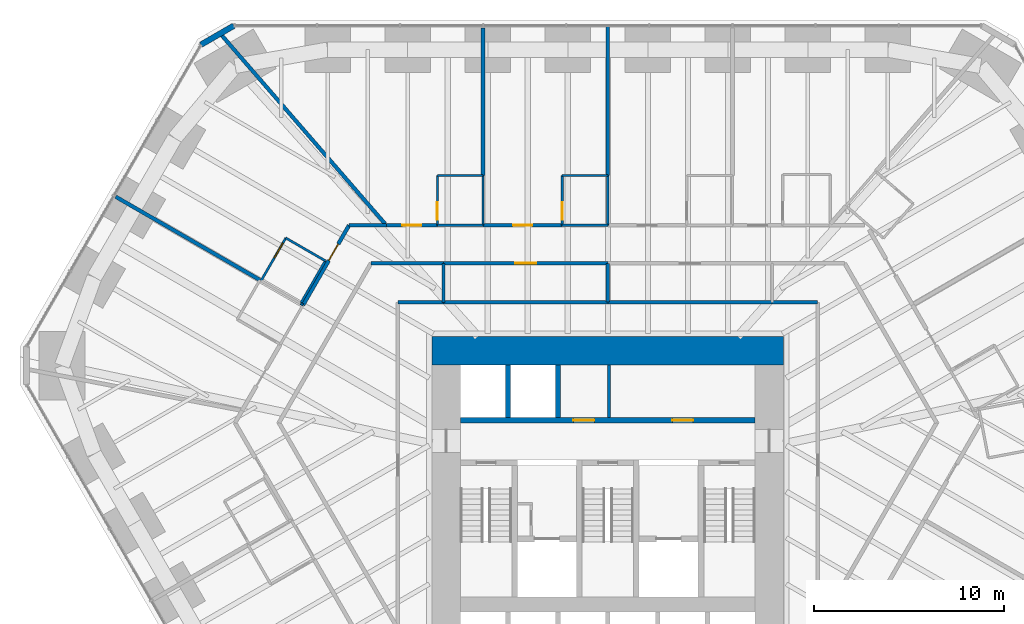
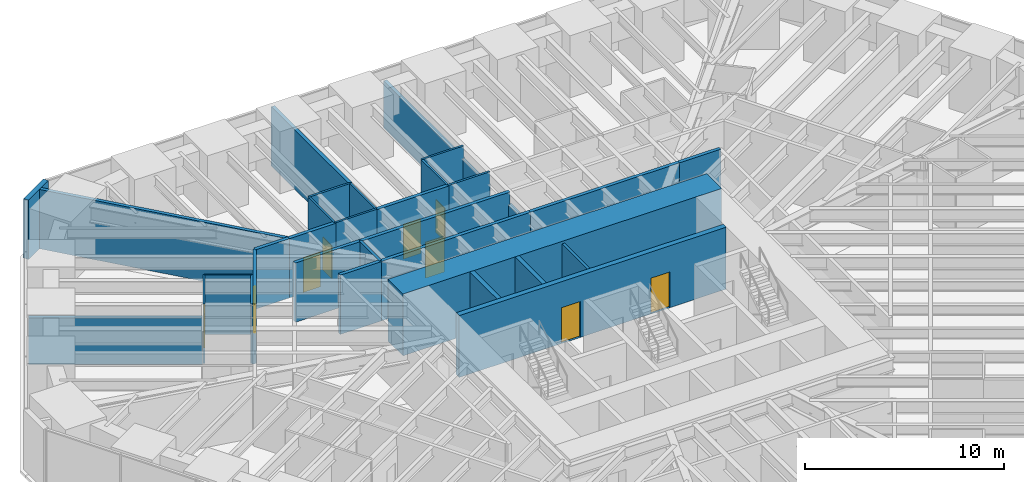
# One storey, part 14 of 17: 34 walls, 9 doors, 9 openings.
"""IFC4 building model written with IfcOpenShell, lengths in metres."""

import ifcopenshell
import ifcopenshell.guid

model = None  # the IFC model being written
_history = None  # IfcOwnerHistory: only IFC2X3 demands one
_inside = {}  # id of a spatial element -> (the spatial element, [elements in it])
_under = {}  # id of a project, library or spatial element -> (it, [spatial elements below it])
_declared = {}  # id of a project -> (the project, [libraries it declares])
_typed = {}  # id of a type object -> (the type object, [elements of that type])
_made_of = {}  # id of a material, layer set ... -> (it, [elements and type objects made of it])


def new_model(schema):
    """Start an empty IFC model of exactly this schema.

    Asked for "IFC4X3", IfcOpenShell would pick the latest addendum, in which some entities
    have other attributes; the version numbers below select the first issue.
    IFC2X3 requires an IfcOwnerHistory on every rooted entity: one is made here for all.
    """
    global model, _history
    if schema == "IFC4X3":
        model = ifcopenshell.file(schema_version=(4, 3, 0, 0))
    else:
        model = ifcopenshell.file(schema=schema)
    _inside.clear()
    _under.clear()
    _declared.clear()
    _typed.clear()
    _made_of.clear()
    _history = None
    if model.schema == "IFC2X3":
        org = make("IfcOrganization", Name="unknown")
        user = make(
            "IfcPersonAndOrganization",
            ThePerson=make("IfcPerson", FamilyName="unknown"),
            TheOrganization=org,
        )
        app = make(
            "IfcApplication",
            ApplicationDeveloper=org,
            Version="unknown",
            ApplicationFullName="unknown",
            ApplicationIdentifier="unknown",
        )
        _history = make(
            "IfcOwnerHistory",
            OwningUser=user,
            OwningApplication=app,
            ChangeAction="ADDED",
            CreationDate=0,
        )
    return model


def make(cls, **values):
    """One entity of the class cls with the attributes given. An attribute that is None is left unset."""
    return model.create_entity(
        cls, **{name: value for name, value in values.items() if value is not None}
    )


def rooted(cls, **values):
    """An entity with a GlobalId (a new one), such as an element, a storey or a relation."""
    return make(cls, GlobalId=ifcopenshell.guid.new(), OwnerHistory=_history, **values)


def si_unit(unit_type, name, prefix=None):
    """IfcSIUnit, for example si_unit("LENGTHUNIT", "METRE", prefix="MILLI")."""
    return make("IfcSIUnit", UnitType=unit_type, Prefix=prefix, Name=name)


def assignment(units):
    """IfcUnitAssignment: the units of a project."""
    return None if units is None else make("IfcUnitAssignment", Units=units)


def point(xyz):
    """IfcCartesianPoint."""
    return None if xyz is None else make("IfcCartesianPoint", Coordinates=xyz)


def direction(xyz):
    """IfcDirection."""
    return None if xyz is None else make("IfcDirection", DirectionRatios=xyz)


def frame(location, z_axis=None, x_axis=None):
    """IfcAxis2Placement3D, a coordinate frame: its origin and axes. An axis left out is left unset."""
    return make(
        "IfcAxis2Placement3D",
        Location=point(location),
        Axis=direction(z_axis),
        RefDirection=direction(x_axis),
    )


def frame_2d(location, x_axis=None):
    """IfcAxis2Placement2D, a coordinate frame in the plane: its origin and x axis."""
    return make(
        "IfcAxis2Placement2D", Location=point(location), RefDirection=direction(x_axis)
    )


def origin():
    """The frame at (0, 0, 0) with its axes left unset."""
    return frame((0.0, 0.0, 0.0))


def place(relative_to, where):
    """IfcLocalPlacement: puts the frame where relative to a parent placement (None: the world)."""
    return make(
        "IfcLocalPlacement", PlacementRelTo=relative_to, RelativePlacement=where
    )


def context(
    kind, dimensions, precision=None, world=None, true_north=None, identifier=None
):
    """IfcGeometricRepresentationContext, for example the 3D "Model" context."""
    return make(
        "IfcGeometricRepresentationContext",
        ContextIdentifier=identifier,
        ContextType=kind,
        CoordinateSpaceDimension=dimensions,
        Precision=precision,
        WorldCoordinateSystem=world,
        TrueNorth=true_north,
    )


def subcontext(parent, identifier, kind, view, scale=None):
    """IfcGeometricRepresentationSubContext, for example "Body" below "Model"."""
    return make(
        "IfcGeometricRepresentationSubContext",
        ContextIdentifier=identifier,
        ContextType=kind,
        ParentContext=parent,
        TargetScale=scale,
        TargetView=view,
    )


def project(units=None, contexts=None):
    """IfcProject with its units and contexts."""
    return rooted(
        "IfcProject",
        Name="project",
        RepresentationContexts=contexts,
        UnitsInContext=assignment(units),
    )


def spatial(cls, under=None, at=None, **own):
    """A site, building, storey or space (cls), placed at a placement, below another one or the project."""
    s = rooted(cls, ObjectPlacement=at, **own)
    if under is not None:
        _under.setdefault(under.id(), (under, []))[1].append(s)
    return s


def profile(cls, at=None, kind="AREA", **sizes):
    """A parametric profile (cls). Its sizes go by their IFC names, for example OverallWidth=200.0."""
    return make(cls, ProfileType=kind, Position=at, **sizes)


def rectangle(**sizes):
    """IfcRectangleProfileDef."""
    return profile("IfcRectangleProfileDef", **sizes)


def extrude(swept, where, along, depth):
    """IfcExtrudedAreaSolid: the profile swept, set in the frame where, extruded along a direction by depth."""
    return make(
        "IfcExtrudedAreaSolid",
        SweptArea=swept,
        Position=where,
        ExtrudedDirection=direction(along),
        Depth=depth,
    )


def shape(context_of_items, identifier, shape_type, items):
    """IfcShapeRepresentation: the items that make up one representation, for example the "Body"."""
    return make(
        "IfcShapeRepresentation",
        ContextOfItems=context_of_items,
        RepresentationIdentifier=identifier,
        RepresentationType=shape_type,
        Items=items,
    )


def material(Name=None, Category=None):
    """IfcMaterial."""
    return make("IfcMaterial", Name=Name, Category=Category)


def layer(
    of_material, thickness, ventilated=None, Name=None, Category=None, Priority=None
):
    """IfcMaterialLayer: one layer of a wall or slab, of a material (None: an air gap)."""
    return make(
        "IfcMaterialLayer",
        Material=of_material,
        LayerThickness=thickness,
        IsVentilated=ventilated,
        Name=Name,
        Category=Category,
        Priority=Priority,
    )


def layer_set(layers, Name=None):
    """IfcMaterialLayerSet."""
    return make("IfcMaterialLayerSet", MaterialLayers=layers, LayerSetName=Name)


def made_of(thing, what):
    """Note that an element or type object is made of a material, layer set ...; save() writes the relation."""
    if what is not None:
        _made_of.setdefault(what.id(), (what, []))[1].append(thing)
    return thing


def type_object(cls, material=None, **own):
    """A type object (cls), such as IfcWallType, which elements share."""
    return made_of(rooted(cls, **own), material)


def element(
    cls,
    number,
    at=None,
    inside=None,
    cuts=None,
    type_object=None,
    material=None,
    context=None,
    identifier="Body",
    shape_type=None,
    held_by="IfcProductDefinitionShape",
    body=None,
    shapes=None,
    **own,
):
    """One element of the class cls, such as IfcWall. Its Tag is "e" and its number.

    at: its placement. inside: the storey or other place that contains it. cuts: it is an
    opening in that element (IfcRelVoidsElement). A single representation is given by context,
    identifier, shape_type and body (its items); several are given by shapes. held_by: the class
    of the entity that holds the representations. save() writes the other relations.
    """
    e = rooted(cls, Tag="e%d" % number, ObjectPlacement=at, **own)
    if body is not None:
        shapes = [shape(context, identifier, shape_type, body)]
    if shapes is not None:
        e.Representation = make(held_by, Representations=shapes)
    if inside is not None:
        _inside.setdefault(inside.id(), (inside, []))[1].append(e)
    if cuts is not None:
        rooted(
            "IfcRelVoidsElement", RelatingBuildingElement=cuts, RelatedOpeningElement=e
        )
    if type_object is not None:
        _typed.setdefault(type_object.id(), (type_object, []))[1].append(e)
    return made_of(e, material)


def fill(opening, filler):
    """IfcRelFillsElement: the door or window that sits in an opening."""
    return rooted(
        "IfcRelFillsElement",
        RelatingOpeningElement=opening,
        RelatedBuildingElement=filler,
    )


def aggregate(whole, parts):
    """IfcRelAggregates: a whole, such as a stair, and the parts it consists of."""
    return rooted("IfcRelAggregates", RelatingObject=whole, RelatedObjects=parts)


def save(model, path):
    """Write the relations noted so far, then the file.

    IfcRelAggregates (storeys below a building ...), IfcRelContainedInSpatialStructure (elements
    in a storey), IfcRelDefinesByType, IfcRelAssociatesMaterial and IfcRelDeclares: one each for
    every whole, place, type object, material and project.
    """
    for whole, parts in _under.values():
        aggregate(whole, parts)
    for where, things in _inside.values():
        rooted(
            "IfcRelContainedInSpatialStructure",
            RelatedElements=things,
            RelatingStructure=where,
        )
    for kind, things in _typed.values():
        rooted("IfcRelDefinesByType", RelatedObjects=things, RelatingType=kind)
    for what, things in _made_of.values():
        rooted("IfcRelAssociatesMaterial", RelatedObjects=things, RelatingMaterial=what)
    for by, libraries in _declared.values():
        rooted("IfcRelDeclares", RelatingContext=by, RelatedDefinitions=libraries)
    model.write(path)


model = new_model("IFC4")

# Units and contexts
model_context = context("Model", 3, precision=1e-05, world=origin(), true_north=direction((0.0, 1.0)))
body_context = subcontext(model_context, "Body", "Model", "MODEL_VIEW")
ifc_project = project(units=[si_unit("LENGTHUNIT", "METRE"), si_unit("AREAUNIT", "SQUARE_METRE"), si_unit("VOLUMEUNIT", "CUBIC_METRE"), si_unit("PLANEANGLEUNIT", "RADIAN"), si_unit("MASSUNIT", "GRAM", prefix="KILO")], contexts=[model_context])

# Site, building, storey
site_placement = place(None, origin())
site = spatial("IfcSite", under=ifc_project, at=site_placement, CompositionType="ELEMENT")
building_placement = place(site_placement, origin())
building = spatial("IfcBuilding", under=site, at=building_placement, Name="Sandreach Pilgrim Tower", CompositionType="ELEMENT")
storey_placement = place(building_placement, frame((0.0, 0.0, 42.0)))
storey = spatial("IfcBuildingStorey", under=building, at=storey_placement, Name="L09", CompositionType="ELEMENT", Elevation=42.0)

# Walls
ifc_material_1 = material(Name="Gypsum board on steel studs", Category="steel")
ifc_layer_1 = layer(ifc_material_1, 0.14990234375)
ifc_layer_set_1 = layer_set([ifc_layer_1], Name="Back of house wall 150")
wall_type_1 = type_object("IfcWallType", Name="Back of house wall 150", PredefinedType="PARTITIONING", material=ifc_layer_set_1)
wall_1_placement = place(storey_placement, frame((-8.64990234375, 11.449951171875, 0.0), z_axis=(0.0, 0.0, 1.0), x_axis=(0.0, -1.0, 0.0)))
element("IfcWall", 1, at=wall_1_placement, inside=storey, type_object=wall_type_1, Name="Back of house wall L09-041", PredefinedType="PARTITIONING", context=body_context, shape_type="SweptSolid", body=[
    extrude(rectangle(XDim=2.050048828125, YDim=0.14990234375, at=frame_2d((1.02490234375, 0.0))), origin(), (0.0, 0.0, 1.0), 3.639892578125),
])
wall_2_placement = place(storey_placement, frame((0.0625, 3.35009765625, 0.0), z_axis=(0.0, 0.0, 1.0), x_axis=(0.0, 1.0, 0.0)))
element("IfcWall", 2, at=wall_2_placement, inside=storey, type_object=wall_type_1, Name="Core room partition L09 1", PredefinedType="PARTITIONING", context=body_context, shape_type="SweptSolid", body=[
    extrude(rectangle(XDim=2.75, YDim=0.14990234375, at=frame_2d((1.375, 0.0))), origin(), (0.0, 0.0, 1.0), 3.639892578125),
])

# Wall, opening, door
ifc_material_2 = material(Name="Moisture-resistant gypsum board on steel studs", Category="steel")
ifc_layer_2 = layer(ifc_material_2, 0.1201171875)
ifc_layer_set_2 = layer_set([ifc_layer_2], Name="Bathroom partition 120")
wall_type_2 = type_object("IfcWallType", Name="Bathroom partition 120", PredefinedType="PARTITIONING", material=ifc_layer_set_2)
wall_3_placement = place(storey_placement, frame((-16.93994140625, 12.780029296875, 0.0), z_axis=(0.0, 0.0, 1.0), x_axis=(-0.500291685314, -0.865856933682, 0.0)))
wall_3 = element("IfcWall", 3, at=wall_3_placement, inside=storey, type_object=wall_type_2, Name="Bathroom partition L09-018", PredefinedType="PARTITIONING", context=body_context, shape_type="SweptSolid", body=[
    extrude(rectangle(XDim=2.5986328125, YDim=0.1201171875, at=frame_2d((1.29931640625, 0.0))), origin(), (0.0, 0.0, 1.0), 3.639892578125),
])
opening_1_placement = place(wall_3_placement, frame((0.300048828125, 0.0, 0.0)))
opening_1 = element("IfcOpeningElement", 4, at=opening_1_placement, cuts=wall_3, Name="Opening D09-16B", PredefinedType="OPENING", context=body_context, shape_type="SweptSolid", body=[
    extrude(rectangle(XDim=0.89990234375, YDim=2.030029296875, at=frame_2d((0.449951171875, 1.01513671875))), frame((0.0, 0.06005859375, 0.0), z_axis=(0.0, -1.0, 0.0), x_axis=(1.0, 0.0, 0.0)), (0.0, 0.0, 1.0), 0.1201171875),
])
ifc_material_3 = material(Name="Timber door, steel frame", Category="steel")
door_type_1 = type_object("IfcDoorType", Name="Bathroom door", OperationType="SINGLE_SWING_LEFT", PredefinedType="DOOR", material=ifc_material_3)
door_1_placement = place(opening_1_placement, origin())
door_1 = element("IfcDoor", 5, at=door_1_placement, inside=storey, type_object=door_type_1, Name="Door 0916B", OperationType="SINGLE_SWING_LEFT", OverallHeight=2.030029296875, OverallWidth=0.89990234375, PredefinedType="DOOR", context=body_context, shape_type="SweptSolid", body=[
    extrude(rectangle(XDim=0.89990234375, YDim=2.030029296875, at=frame_2d((0.449951171875, 1.01513671875))), frame((0.0, 0.02490234375, 0.0), z_axis=(0.0, -1.0, 0.0), x_axis=(1.0, 0.0, 0.0)), (0.0, 0.0, 1.0), 0.050048828125),
])
fill(opening_1, door_1)

# Walls
wall_4_placement = place(storey_placement, frame((-16.159912109375, 9.330078125, 0.0), z_axis=(0.0, 0.0, 1.0), x_axis=(0.880098986228, -0.47479024257, 0.0)))
element("IfcWall", 6, at=wall_4_placement, inside=storey, type_object=wall_type_2, Name="Bathroom partition L09-022", PredefinedType="PARTITIONING", context=body_context, shape_type="SweptSolid", body=[
    extrude(rectangle(XDim=0.1474609375, YDim=0.1201171875, at=frame_2d((0.07373046875, 0.0))), origin(), (0.0, 0.0, 1.0), 3.639892578125),
])
wall_5_placement = place(storey_placement, frame((-16.159912109375, 9.330078125, 0.0), z_axis=(0.0, 0.0, 1.0), x_axis=(0.500291685314, 0.865856933682, 0.0)))
element("IfcWall", 7, at=wall_5_placement, inside=storey, type_object=wall_type_2, Name="Bathroom partition L09-023", PredefinedType="PARTITIONING", context=body_context, shape_type="SweptSolid", body=[
    extrude(rectangle(XDim=2.5986328125, YDim=0.1201171875, at=frame_2d((1.29931640625, 0.0))), origin(), (0.0, 0.0, 1.0), 3.639892578125),
])
wall_6_placement = place(storey_placement, frame((-14.860107421875, 11.580078125, 0.0), z_axis=(0.0, 0.0, 1.0), x_axis=(-0.866177122335, 0.499737123639, 0.0)))
element("IfcWall", 8, at=wall_6_placement, inside=storey, type_object=wall_type_2, Name="Bathroom partition L09-026", PredefinedType="PARTITIONING", context=body_context, shape_type="SweptSolid", body=[
    extrude(rectangle(XDim=2.401123046875, YDim=0.1201171875, at=frame_2d((1.20068359375, 0.0))), origin(), (0.0, 0.0, 1.0), 3.639892578125),
])

# Wall, opening, door
wall_7_placement = place(storey_placement, frame((-8.9599609375, 16.070068359375, 0.0), z_axis=(0.0, 0.0, 1.0), x_axis=(0.0, -1.0, 0.0)))
wall_7 = element("IfcWall", 9, at=wall_7_placement, inside=storey, type_object=wall_type_2, Name="Bathroom partition L09-038", PredefinedType="PARTITIONING", context=body_context, shape_type="SweptSolid", body=[
    extrude(rectangle(XDim=2.6201171875, YDim=0.1201171875, at=frame_2d((1.31005859375, 0.0))), origin(), (0.0, 0.0, 1.0), 3.639892578125),
])
opening_2_placement = place(wall_7_placement, frame((1.419921875, 0.0, 0.0)))
opening_2 = element("IfcOpeningElement", 10, at=opening_2_placement, cuts=wall_7, Name="Opening D09-01B", PredefinedType="OPENING", context=body_context, shape_type="SweptSolid", body=[
    extrude(rectangle(XDim=0.89990234375, YDim=2.030029296875, at=frame_2d((0.449951171875, 1.01513671875))), frame((0.0, 0.06005859375, 0.0), z_axis=(0.0, -1.0, 0.0), x_axis=(1.0, 0.0, 0.0)), (0.0, 0.0, 1.0), 0.1201171875),
])
door_2_placement = place(opening_2_placement, origin())
door_2 = element("IfcDoor", 11, at=door_2_placement, inside=storey, type_object=door_type_1, Name="Door 0901B", OperationType="SINGLE_SWING_RIGHT", OverallHeight=2.030029296875, OverallWidth=0.89990234375, PredefinedType="DOOR", context=body_context, shape_type="SweptSolid", body=[
    extrude(rectangle(XDim=0.89990234375, YDim=2.030029296875, at=frame_2d((0.449951171875, 1.01513671875))), frame((0.0, 0.02490234375, 0.0), z_axis=(0.0, -1.0, 0.0), x_axis=(1.0, 0.0, 0.0)), (0.0, 0.0, 1.0), 0.050048828125),
])
fill(opening_2, door_2)

# Walls
for number, where, z_axis, x_axis, name in (
    (12, (-6.56005859375, 13.449951171875, 0.0), (0.0, 0.0, 1.0), (-1.0, 0.0, 0.0), "Bathroom partition L09-044"),
    (13, (-6.56005859375, 16.070068359375, 0.0), (0.0, 0.0, 1.0), (-1.0, 0.0, 0.0), "Bathroom partition L09-045"),
):
    element("IfcWall", number, at=place(storey_placement, frame(where, z_axis=z_axis, x_axis=x_axis)), inside=storey, type_object=wall_type_2, Name=name, PredefinedType="PARTITIONING", context=body_context, shape_type="SweptSolid", body=[
        extrude(rectangle(XDim=2.39990234375, YDim=0.1201171875, at=frame_2d((1.199951171875, 0.0))), origin(), (0.0, 0.0, 1.0), 3.639892578125),
    ])
wall_8_placement = place(storey_placement, frame((-6.56005859375, 16.070068359375, 0.0), z_axis=(0.0, 0.0, 1.0), x_axis=(0.0, -1.0, 0.0)))
element("IfcWall", 14, at=wall_8_placement, inside=storey, type_object=wall_type_2, Name="Bathroom partition L09-046", PredefinedType="PARTITIONING", context=body_context, shape_type="SweptSolid", body=[
    extrude(rectangle(XDim=2.6201171875, YDim=0.1201171875, at=frame_2d((1.31005859375, 0.0))), origin(), (0.0, 0.0, 1.0), 3.639892578125),
])

# Wall, opening, door
wall_9_placement = place(storey_placement, frame((-2.39990234375, 16.070068359375, 0.0), z_axis=(0.0, 0.0, 1.0), x_axis=(0.0, -1.0, 0.0)))
wall_9 = element("IfcWall", 15, at=wall_9_placement, inside=storey, type_object=wall_type_2, Name="Bathroom partition L09-055", PredefinedType="PARTITIONING", context=body_context, shape_type="SweptSolid", body=[
    extrude(rectangle(XDim=2.6201171875, YDim=0.1201171875, at=frame_2d((1.31005859375, 0.0))), origin(), (0.0, 0.0, 1.0), 3.639892578125),
])
opening_3_placement = place(wall_9_placement, frame((1.419921875, 0.0, 0.0)))
opening_3 = element("IfcOpeningElement", 16, at=opening_3_placement, cuts=wall_9, Name="Opening D09-02B", PredefinedType="OPENING", context=body_context, shape_type="SweptSolid", body=[
    extrude(rectangle(XDim=0.89990234375, YDim=2.030029296875, at=frame_2d((0.449951171875, 1.01513671875))), frame((0.0, 0.06005859375, 0.0), z_axis=(0.0, -1.0, 0.0), x_axis=(1.0, 0.0, 0.0)), (0.0, 0.0, 1.0), 0.1201171875),
])
door_3_placement = place(opening_3_placement, origin())
door_3 = element("IfcDoor", 17, at=door_3_placement, inside=storey, type_object=door_type_1, Name="Door 0902B", OperationType="SINGLE_SWING_RIGHT", OverallHeight=2.030029296875, OverallWidth=0.89990234375, PredefinedType="DOOR", context=body_context, shape_type="SweptSolid", body=[
    extrude(rectangle(XDim=0.89990234375, YDim=2.030029296875, at=frame_2d((0.449951171875, 1.01513671875))), frame((0.0, 0.02490234375, 0.0), z_axis=(0.0, -1.0, 0.0), x_axis=(1.0, 0.0, 0.0)), (0.0, 0.0, 1.0), 0.050048828125),
])
fill(opening_3, door_3)

# Walls
for number, where, z_axis, x_axis, name in (
    (18, (0.0, 13.449951171875, 0.0), (0.0, 0.0, 1.0), (-1.0, 0.0, 0.0), "Bathroom partition L09-066"),
    (19, (0.0, 16.070068359375, 0.0), (0.0, 0.0, 1.0), (-1.0, 0.0, 0.0), "Bathroom partition L09-067"),
):
    element("IfcWall", number, at=place(storey_placement, frame(where, z_axis=z_axis, x_axis=x_axis)), inside=storey, type_object=wall_type_2, Name=name, PredefinedType="PARTITIONING", context=body_context, shape_type="SweptSolid", body=[
        extrude(rectangle(XDim=2.39990234375, YDim=0.1201171875, at=frame_2d((1.199951171875, 0.0))), origin(), (0.0, 0.0, 1.0), 3.639892578125),
    ])
wall_10_placement = place(storey_placement, frame((0.0, 16.070068359375, 0.0), z_axis=(0.0, 0.0, 1.0), x_axis=(0.0, -1.0, 0.0)))
element("IfcWall", 20, at=wall_10_placement, inside=storey, type_object=wall_type_2, Name="Bathroom partition L09-068", PredefinedType="PARTITIONING", context=body_context, shape_type="SweptSolid", body=[
    extrude(rectangle(XDim=2.6201171875, YDim=0.1201171875, at=frame_2d((1.31005859375, 0.0))), origin(), (0.0, 0.0, 1.0), 2.8779296875),
])

# Wall, openings, doors
ifc_material_4 = material(Name="Concrete 10000 psi", Category="concrete")
ifc_layer_3 = layer(ifc_material_4, 0.300048828125)
ifc_layer_set_3 = layer_set([ifc_layer_3], Name="Core inner wall 300")
wall_type_3 = type_object("IfcWallType", Name="Core inner wall 300", PredefinedType="SHEAR", material=ifc_layer_set_3)
wall_11_placement = place(storey_placement, frame((-7.75, 3.199951171875, 0.0), z_axis=(0.0, 0.0, 1.0), x_axis=(1.0, 0.0, 0.0)))
wall_11 = element("IfcWall", 21, at=wall_11_placement, inside=storey, type_object=wall_type_3, Name="Core wall PN L09", PredefinedType="SHEAR", context=body_context, shape_type="SweptSolid", body=[
    extrude(rectangle(XDim=15.5, YDim=0.300048828125, at=frame_2d((7.75, 0.0))), origin(), (0.0, 0.0, 1.0), 3.800048828125),
])
opening_4_placement = place(wall_11_placement, frame((5.94384765625, 0.0, 0.0)))
opening_4 = element("IfcOpeningElement", 22, at=opening_4_placement, cuts=wall_11, Name="Opening D11L", PredefinedType="OPENING", context=body_context, shape_type="SweptSolid", body=[
    extrude(rectangle(XDim=1.10009765625, YDim=2.199951171875, at=frame_2d((0.550048828125, 1.10009765625))), frame((0.0, 0.14990234375, 0.0), z_axis=(0.0, -1.0, 0.0), x_axis=(1.0, 0.0, 0.0)), (0.0, 0.0, 1.0), 0.300048828125),
])
opening_5_placement = place(wall_11_placement, frame((11.143798828125, 0.0, 0.0)))
opening_5 = element("IfcOpeningElement", 23, at=opening_5_placement, cuts=wall_11, Name="Opening D11L", PredefinedType="OPENING", context=body_context, shape_type="SweptSolid", body=[
    extrude(rectangle(XDim=1.10009765625, YDim=2.199951171875, at=frame_2d((0.550048828125, 1.10009765625))), frame((0.0, 0.14990234375, 0.0), z_axis=(0.0, -1.0, 0.0), x_axis=(1.0, 0.0, 0.0)), (0.0, 0.0, 1.0), 0.300048828125),
])
ifc_material_5 = material(Name="Steel door and frame, smoke seals", Category="steel")
door_type_2 = type_object("IfcDoorType", Name="Core room door", OperationType="SINGLE_SWING_LEFT", PredefinedType="DOOR", material=ifc_material_5)
door_4_placement = place(opening_4_placement, origin())
door_4 = element("IfcDoor", 24, at=door_4_placement, inside=storey, type_object=door_type_2, Name="Door linen and housekeeping store 09K1", OperationType="SINGLE_SWING_LEFT", OverallHeight=2.199951171875, OverallWidth=1.10009765625, PredefinedType="DOOR", context=body_context, shape_type="SweptSolid", body=[
    extrude(rectangle(XDim=1.10009765625, YDim=2.199951171875, at=frame_2d((0.550048828125, 1.10009765625))), frame((0.0, 0.02490234375, 0.0), z_axis=(0.0, -1.0, 0.0), x_axis=(1.0, 0.0, 0.0)), (0.0, 0.0, 1.0), 0.050048828125),
])
fill(opening_4, door_4)
door_5_placement = place(opening_5_placement, origin())
door_5 = element("IfcDoor", 25, at=door_5_placement, inside=storey, type_object=door_type_2, Name="Door cleaners store 09K2", OperationType="SINGLE_SWING_RIGHT", OverallHeight=2.199951171875, OverallWidth=1.10009765625, PredefinedType="DOOR", context=body_context, shape_type="SweptSolid", body=[
    extrude(rectangle(XDim=1.10009765625, YDim=2.199951171875, at=frame_2d((0.550048828125, 1.10009765625))), frame((0.0, 0.02490234375, 0.0), z_axis=(0.0, -1.0, 0.0), x_axis=(1.0, 0.0, 0.0)), (0.0, 0.0, 1.0), 0.050048828125),
])
fill(opening_5, door_5)

# Wall
ifc_material_6 = material(Name="Concrete 10000 psi", Category="concrete")
ifc_layer_4 = layer(ifc_material_6, 1.5)
ifc_layer_set_4 = layer_set([ifc_layer_4], Name="Core wall 1500")
wall_type_4 = type_object("IfcWallType", Name="Core wall 1500", PredefinedType="SHEAR", material=ifc_layer_set_4)
wall_12_placement = place(storey_placement, frame((-9.25, 6.85009765625, 0.0), z_axis=(0.0, 0.0, 1.0), x_axis=(1.0, 0.0, 0.0)))
element("IfcWall", 26, at=wall_12_placement, inside=storey, type_object=wall_type_4, Name="Core wall N L09", PredefinedType="SHEAR", context=body_context, shape_type="SweptSolid", body=[
    extrude(rectangle(XDim=18.5, YDim=1.5, at=frame_2d((9.25, 0.0))), origin(), (0.0, 0.0, 1.0), 3.800048828125),
])

# Wall, opening, door
ifc_material_7 = material(Name="Gypsum board on steel studs, two layers each side", Category="steel")
ifc_layer_5 = layer(ifc_material_7, 0.199951171875)
ifc_layer_set_5 = layer_set([ifc_layer_5], Name="Corridor wall 200")
wall_type_5 = type_object("IfcWallType", Name="Corridor wall 200", PredefinedType="PARTITIONING", material=ifc_layer_set_5)
wall_13_placement = place(storey_placement, frame((-16.029296875, 9.259521484375, 0.0), z_axis=(0.0, 0.0, 1.0), x_axis=(0.499975779801, 0.866039386871, 0.0)))
wall_13 = element("IfcWall", 27, at=wall_13_placement, inside=storey, type_object=wall_type_5, Name="Corridor wall L09-024", PredefinedType="PARTITIONING", context=body_context, shape_type="SweptSolid", body=[
    extrude(rectangle(XDim=4.838623046875, YDim=0.199951171875, at=frame_2d((2.41943359375, 0.0))), origin(), (0.0, 0.0, 1.0), 3.639892578125),
])
opening_6_placement = place(wall_13_placement, frame((2.699951171875, 0.0, 0.0)))
opening_6 = element("IfcOpeningElement", 28, at=opening_6_placement, cuts=wall_13, Name="Opening D10-16", PredefinedType="OPENING", context=body_context, shape_type="SweptSolid", body=[
    extrude(rectangle(XDim=1.0, YDim=2.1298828125, at=frame_2d((0.5, 1.06494140625))), frame((0.0, 0.10009765625, 0.0), z_axis=(0.0, -1.0, 0.0), x_axis=(1.0, 0.0, 0.0)), (0.0, 0.0, 1.0), 0.199951171875),
])
ifc_material_8 = material(Name="Steel door and frame", Category="steel")
door_type_3 = type_object("IfcDoorType", Name="Guest room entry door", OperationType="SINGLE_SWING_LEFT", PredefinedType="DOOR", material=ifc_material_8)
door_6_placement = place(opening_6_placement, origin())
door_6 = element("IfcDoor", 29, at=door_6_placement, inside=storey, type_object=door_type_3, Name="Door 0916", OperationType="SINGLE_SWING_RIGHT", OverallHeight=2.1298828125, OverallWidth=1.0, PredefinedType="DOOR", context=body_context, shape_type="SweptSolid", body=[
    extrude(rectangle(XDim=1.0, YDim=2.1298828125, at=frame_2d((0.5, 1.06494140625))), frame((0.0, 0.02490234375, 0.0), z_axis=(0.0, -1.0, 0.0), x_axis=(1.0, 0.0, 0.0)), (0.0, 0.0, 1.0), 0.050048828125),
])
fill(opening_6, door_6)

# Walls
wall_14_placement = place(storey_placement, frame((-12.4599609375, 11.449951171875, 0.0), z_axis=(0.0, 0.0, 1.0), x_axis=(1.0, 0.0, 0.0)))
element("IfcWall", 30, at=wall_14_placement, inside=storey, type_object=wall_type_5, Name="Corridor wall L09-027", PredefinedType="PARTITIONING", context=body_context, shape_type="SweptSolid", body=[
    extrude(rectangle(XDim=3.81005859375, YDim=0.199951171875, at=frame_2d((1.905029296875, 0.0))), origin(), (0.0, 0.0, 1.0), 3.639892578125),
])
wall_15_placement = place(storey_placement, frame((-11.64990234375, 13.449951171875, 0.0), z_axis=(0.0, 0.0, 1.0), x_axis=(-1.0, 0.0, 0.0)))
element("IfcWall", 31, at=wall_15_placement, inside=storey, type_object=wall_type_5, Name="Corridor wall L09-031", PredefinedType="PARTITIONING", context=body_context, shape_type="SweptSolid", body=[
    extrude(rectangle(XDim=1.960205078125, YDim=0.199951171875, at=frame_2d((0.97998046875, 0.0))), origin(), (0.0, 0.0, 1.0), 3.639892578125),
])

# Wall, opening, door
wall_16_placement = place(storey_placement, frame((-8.9599609375, 13.449951171875, 0.0), z_axis=(0.0, 0.0, 1.0), x_axis=(-1.0, 0.0, 0.0)))
wall_16 = element("IfcWall", 32, at=wall_16_placement, inside=storey, type_object=wall_type_5, Name="Corridor wall L09-037", PredefinedType="PARTITIONING", context=body_context, shape_type="SweptSolid", body=[
    extrude(rectangle(XDim=2.68994140625, YDim=0.199951171875, at=frame_2d((1.344970703125, 0.0))), origin(), (0.0, 0.0, 1.0), 3.639892578125),
])
opening_7_placement = place(wall_16_placement, frame((0.844970703125, 0.0, 0.0)))
opening_7 = element("IfcOpeningElement", 33, at=opening_7_placement, cuts=wall_16, Name="Opening D10-01", PredefinedType="OPENING", context=body_context, shape_type="SweptSolid", body=[
    extrude(rectangle(XDim=1.0, YDim=2.1298828125, at=frame_2d((0.5, 1.06494140625))), frame((0.0, 0.10009765625, 0.0), z_axis=(0.0, -1.0, 0.0), x_axis=(1.0, 0.0, 0.0)), (0.0, 0.0, 1.0), 0.199951171875),
])
door_7_placement = place(opening_7_placement, origin())
door_7 = element("IfcDoor", 34, at=door_7_placement, inside=storey, type_object=door_type_3, Name="Door 0901", OperationType="SINGLE_SWING_LEFT", OverallHeight=2.1298828125, OverallWidth=1.0, PredefinedType="DOOR", context=body_context, shape_type="SweptSolid", body=[
    extrude(rectangle(XDim=1.0, YDim=2.1298828125, at=frame_2d((0.5, 1.06494140625))), frame((0.0, 0.02490234375, 0.0), z_axis=(0.0, -1.0, 0.0), x_axis=(1.0, 0.0, 0.0)), (0.0, 0.0, 1.0), 0.050048828125),
])
fill(opening_7, door_7)

# Wall
wall_17_placement = place(storey_placement, frame((-8.64990234375, 9.39990234375, 0.0), z_axis=(0.0, 0.0, 1.0), x_axis=(-1.0, 0.0, 0.0)))
element("IfcWall", 35, at=wall_17_placement, inside=storey, type_object=wall_type_5, Name="Corridor wall L09-040", PredefinedType="PARTITIONING", context=body_context, shape_type="SweptSolid", body=[
    extrude(rectangle(XDim=2.39013671875, YDim=0.199951171875, at=frame_2d((1.195068359375, 0.0))), origin(), (0.0, 0.0, 1.0), 3.639892578125),
])

# Wall, opening, door
wall_18_placement = place(storey_placement, frame((-8.64990234375, 11.449951171875, 0.0), z_axis=(0.0, 0.0, 1.0), x_axis=(1.0, 0.0, 0.0)))
wall_18 = element("IfcWall", 36, at=wall_18_placement, inside=storey, type_object=wall_type_5, Name="Corridor wall L09-042", PredefinedType="PARTITIONING", context=body_context, shape_type="SweptSolid", body=[
    extrude(rectangle(XDim=8.64990234375, YDim=0.199951171875, at=frame_2d((4.324951171875, 0.0))), origin(), (0.0, 0.0, 1.0), 3.639892578125),
])
opening_8_placement = place(wall_18_placement, frame((3.77490234375, 0.0, 0.0)))
opening_8 = element("IfcOpeningElement", 37, at=opening_8_placement, cuts=wall_18, Name="Opening D11H-M02", PredefinedType="OPENING", context=body_context, shape_type="SweptSolid", body=[
    extrude(rectangle(XDim=1.10009765625, YDim=2.199951171875, at=frame_2d((0.550048828125, 1.10009765625))), frame((0.0, 0.10009765625, 0.0), z_axis=(0.0, -1.0, 0.0), x_axis=(1.0, 0.0, 0.0)), (0.0, 0.0, 1.0), 0.199951171875),
])
ifc_material_9 = material(Name="Steel door and frame", Category="steel")
door_type_4 = type_object("IfcDoorType", Name="Back of house door", OperationType="SINGLE_SWING_LEFT", PredefinedType="DOOR", material=ifc_material_9)
door_8_placement = place(opening_8_placement, origin())
door_8 = element("IfcDoor", 38, at=door_8_placement, inside=storey, type_object=door_type_4, Name="Door 09M02", OperationType="SINGLE_SWING_LEFT", OverallHeight=2.199951171875, OverallWidth=1.10009765625, PredefinedType="DOOR", context=body_context, shape_type="SweptSolid", body=[
    extrude(rectangle(XDim=1.10009765625, YDim=2.199951171875, at=frame_2d((0.550048828125, 1.10009765625))), frame((0.0, 0.02490234375, 0.0), z_axis=(0.0, -1.0, 0.0), x_axis=(1.0, 0.0, 0.0)), (0.0, 0.0, 1.0), 0.050048828125),
])
fill(opening_8, door_8)

wall_19_placement = place(storey_placement, frame((-2.39990234375, 13.449951171875, 0.0), z_axis=(0.0, 0.0, 1.0), x_axis=(-1.0, 0.0, 0.0)))
wall_19 = element("IfcWall", 39, at=wall_19_placement, inside=storey, type_object=wall_type_5, Name="Corridor wall L09-054", PredefinedType="PARTITIONING", context=body_context, shape_type="SweptSolid", body=[
    extrude(rectangle(XDim=4.16015625, YDim=0.199951171875, at=frame_2d((2.080078125, 0.0))), origin(), (0.0, 0.0, 1.0), 3.639892578125),
])
opening_9_placement = place(wall_19_placement, frame((1.580078125, 0.0, 0.0)))
opening_9 = element("IfcOpeningElement", 40, at=opening_9_placement, cuts=wall_19, Name="Opening D10-02", PredefinedType="OPENING", context=body_context, shape_type="SweptSolid", body=[
    extrude(rectangle(XDim=1.0, YDim=2.1298828125, at=frame_2d((0.5, 1.06494140625))), frame((0.0, 0.10009765625, 0.0), z_axis=(0.0, -1.0, 0.0), x_axis=(1.0, 0.0, 0.0)), (0.0, 0.0, 1.0), 0.199951171875),
])
door_9_placement = place(opening_9_placement, origin())
door_9 = element("IfcDoor", 41, at=door_9_placement, inside=storey, type_object=door_type_3, Name="Door 0902", OperationType="SINGLE_SWING_LEFT", OverallHeight=2.1298828125, OverallWidth=1.0, PredefinedType="DOOR", context=body_context, shape_type="SweptSolid", body=[
    extrude(rectangle(XDim=1.0, YDim=2.1298828125, at=frame_2d((0.5, 1.06494140625))), frame((0.0, 0.02490234375, 0.0), z_axis=(0.0, -1.0, 0.0), x_axis=(1.0, 0.0, 0.0)), (0.0, 0.0, 1.0), 0.050048828125),
])
fill(opening_9, door_9)

# Walls
for number, where, z_axis, x_axis, name in (
    (42, (0.0, 9.39990234375, 0.0), (0.0, 0.0, 1.0), (-1.0, 0.0, 0.0), "Corridor wall L09-063"),
    (43, (8.64990234375, 9.39990234375, 0.0), (0.0, 0.0, 1.0), (-1.0, 0.0, 0.0), "Corridor wall L09-093"),
):
    element("IfcWall", number, at=place(storey_placement, frame(where, z_axis=z_axis, x_axis=x_axis)), inside=storey, type_object=wall_type_5, Name=name, PredefinedType="PARTITIONING", context=body_context, shape_type="SweptSolid", body=[
        extrude(rectangle(XDim=8.64990234375, YDim=0.199951171875, at=frame_2d((4.324951171875, 0.0))), origin(), (0.0, 0.0, 1.0), 3.639892578125),
    ])
wall_20_placement = place(storey_placement, frame((11.0400390625, 9.39990234375, 0.0), z_axis=(0.0, 0.0, 1.0), x_axis=(-1.0, 0.0, 0.0)))
element("IfcWall", 44, at=wall_20_placement, inside=storey, type_object=wall_type_5, Name="Corridor wall L09-102", PredefinedType="PARTITIONING", context=body_context, shape_type="SweptSolid", body=[
    extrude(rectangle(XDim=2.39013671875, YDim=0.199951171875, at=frame_2d((1.195068359375, 0.0))), origin(), (0.0, 0.0, 1.0), 3.639892578125),
])
ifc_material_10 = material(Name="Double steel stud acoustic wall, gypsum board", Category="steel")
ifc_layer_6 = layer(ifc_material_10, 0.199951171875)
ifc_layer_set_6 = layer_set([ifc_layer_6], Name="Party wall 200")
wall_type_6 = type_object("IfcWallType", Name="Party wall 200", PredefinedType="PARTITIONING", material=ifc_layer_set_6)
wall_21_placement = place(storey_placement, frame((-25.885986328125, 14.949951171875, 0.0), z_axis=(0.0, 0.0, 1.0), x_axis=(0.866018495177, -0.500011965869, 0.0)))
element("IfcWall", 45, at=wall_21_placement, inside=storey, type_object=wall_type_6, Name="Party wall L09-002", PredefinedType="PARTITIONING", context=body_context, shape_type="SweptSolid", body=[
    extrude(rectangle(XDim=8.759521484375, YDim=0.199951171875, at=frame_2d((4.3798828125, 0.0))), origin(), (0.0, 0.0, 1.0), 2.860107421875),
])
wall_22_placement = place(storey_placement, frame((-11.715576171875, 13.525634765625, 0.0), z_axis=(0.0, 0.0, 1.0), x_axis=(-0.654901100514, 0.755714594636, 0.0)))
element("IfcWall", 46, at=wall_22_placement, inside=storey, type_object=wall_type_6, Name="Party wall L09-030", PredefinedType="PARTITIONING", context=body_context, shape_type="SweptSolid", body=[
    extrude(rectangle(XDim=13.26123046875, YDim=0.199951171875, at=frame_2d((6.630615234375, 0.0))), origin(), (0.0, 0.0, 1.0), 3.639892578125),
])
wall_23_placement = place(storey_placement, frame((-6.56005859375, 23.830078125, 0.0), z_axis=(0.0, 0.0, 1.0), x_axis=(0.0, -1.0, 0.0)))
element("IfcWall", 47, at=wall_23_placement, inside=storey, type_object=wall_type_6, Name="Party wall L09-047", PredefinedType="PARTITIONING", context=body_context, shape_type="SweptSolid", body=[
    extrude(rectangle(XDim=7.760009765625, YDim=0.199951171875, at=frame_2d((3.8798828125, 0.0))), origin(), (0.0, 0.0, 1.0), 3.639892578125),
])
wall_24_placement = place(storey_placement, frame((0.0, 11.43994140625, 0.0), z_axis=(0.0, 0.0, 1.0), x_axis=(0.0, -1.0, 0.0)))
element("IfcWall", 48, at=wall_24_placement, inside=storey, type_object=wall_type_6, Name="Party wall L09-064", PredefinedType="PARTITIONING", context=body_context, shape_type="SweptSolid", body=[
    extrude(rectangle(XDim=2.02490234375, YDim=0.199951171875, at=frame_2d((1.012451171875, 0.0))), origin(), (0.0, 0.0, 1.0), 2.8779296875),
])
wall_25_placement = place(storey_placement, frame((0.0, 23.919921875, 0.0), z_axis=(0.0, 0.0, 1.0), x_axis=(0.0, -1.0, 0.0)))
element("IfcWall", 49, at=wall_25_placement, inside=storey, type_object=wall_type_6, Name="Party wall L09-069", PredefinedType="PARTITIONING", context=body_context, shape_type="SweptSolid", body=[
    extrude(rectangle(XDim=7.849853515625, YDim=0.199951171875, at=frame_2d((3.9248046875, 0.0))), origin(), (0.0, 0.0, 1.0), 2.8779296875),
])
ifc_material_11 = material(Name="Gypsum shaft wall on steel studs, two layers of shaft liner board", Category="steel")
ifc_layer_7 = layer(ifc_material_11, 0.25)
ifc_layer_set_7 = layer_set([ifc_layer_7], Name="Shaft partition 250")
wall_type_7 = type_object("IfcWallType", Name="Shaft partition 250", PredefinedType="PARTITIONING", material=ifc_layer_set_7)
for number, where, z_axis, x_axis, name in (
    (50, (-5.25, 3.35009765625, 0.0), (0.0, 0.0, 1.0), (0.0, 1.0, 0.0), "Shaft partition NS0 L09"),
    (51, (-2.625, 3.35009765625, 0.0), (0.0, 0.0, 1.0), (0.0, 1.0, 0.0), "Shaft partition NS1 L09"),
):
    element("IfcWall", number, at=place(storey_placement, frame(where, z_axis=z_axis, x_axis=x_axis)), inside=storey, type_object=wall_type_7, Name=name, PredefinedType="PARTITIONING", context=body_context, shape_type="SweptSolid", body=[
        extrude(rectangle(XDim=2.75, YDim=0.25, at=frame_2d((1.375, 0.0))), origin(), (0.0, 0.0, 1.0), 3.800048828125),
    ])
ifc_material_12 = material(Name="Terracotta rainscreen on concrete", Category="masonry")
ifc_layer_8 = layer(ifc_material_12, 0.300048828125)
ifc_layer_set_8 = layer_set([ifc_layer_8], Name="Terracotta chamfer pier")
wall_type_8 = type_object("IfcWallType", Name="Terracotta chamfer pier", PredefinedType="SOLIDWALL", material=ifc_layer_set_8)
wall_26_placement = place(storey_placement, frame((-21.404052734375, 22.94873046875, 0.0), z_axis=(0.0, 0.0, 1.0), x_axis=(0.866010750942, 0.50002537861, 0.0)))
element("IfcWall", 52, at=wall_26_placement, inside=storey, type_object=wall_type_8, Name="Chamfer pier L09 NW", PredefinedType="SOLIDWALL", context=body_context, shape_type="SweptSolid", body=[
    extrude(rectangle(XDim=2.0, YDim=0.300048828125, at=frame_2d((1.0, 0.0))), origin(), (0.0, 0.0, 1.0), 3.639892578125),
])

save(model, "model.ifc")
